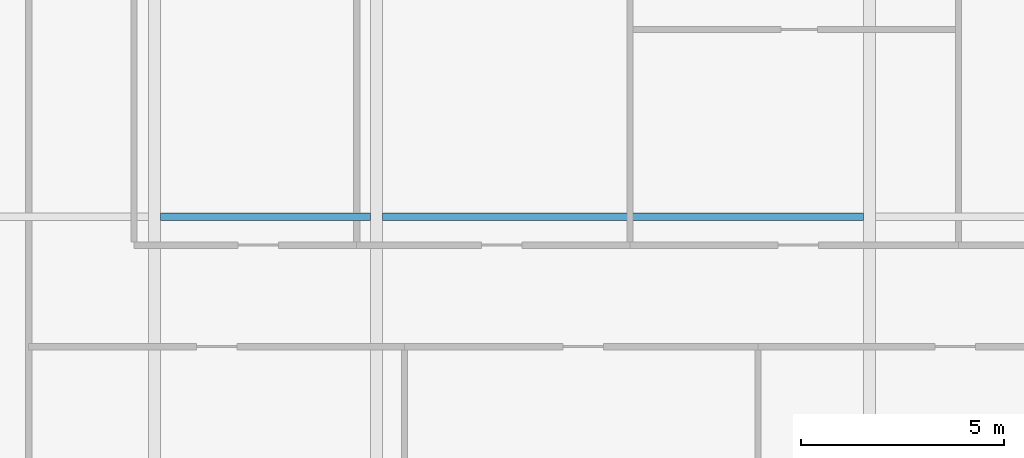
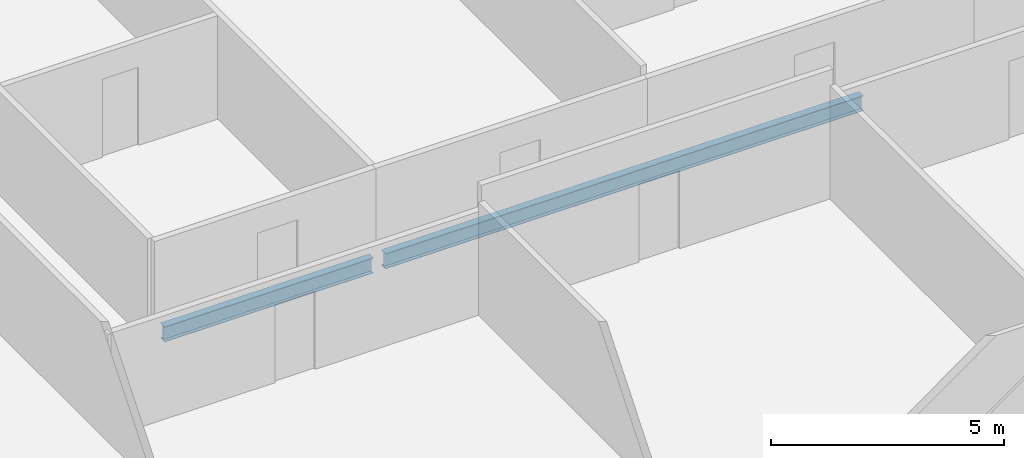
# One storey, part 8 of 29: 2 beams.
"""IFC4 building model written with IfcOpenShell, lengths in metres."""

import ifcopenshell
import ifcopenshell.guid

model = None  # the IFC model being written
_history = None  # IfcOwnerHistory: only IFC2X3 demands one
_inside = {}  # id of a spatial element -> (the spatial element, [elements in it])
_under = {}  # id of a project, library or spatial element -> (it, [spatial elements below it])
_declared = {}  # id of a project -> (the project, [libraries it declares])
_typed = {}  # id of a type object -> (the type object, [elements of that type])
_made_of = {}  # id of a material, layer set ... -> (it, [elements and type objects made of it])


def new_model(schema):
    """Start an empty IFC model of exactly this schema.

    Asked for "IFC4X3", IfcOpenShell would pick the latest addendum, in which some entities
    have other attributes; the version numbers below select the first issue.
    IFC2X3 requires an IfcOwnerHistory on every rooted entity: one is made here for all.
    """
    global model, _history
    if schema == "IFC4X3":
        model = ifcopenshell.file(schema_version=(4, 3, 0, 0))
    else:
        model = ifcopenshell.file(schema=schema)
    _inside.clear()
    _under.clear()
    _declared.clear()
    _typed.clear()
    _made_of.clear()
    _history = None
    if model.schema == "IFC2X3":
        org = make("IfcOrganization", Name="unknown")
        user = make(
            "IfcPersonAndOrganization",
            ThePerson=make("IfcPerson", FamilyName="unknown"),
            TheOrganization=org,
        )
        app = make(
            "IfcApplication",
            ApplicationDeveloper=org,
            Version="unknown",
            ApplicationFullName="unknown",
            ApplicationIdentifier="unknown",
        )
        _history = make(
            "IfcOwnerHistory",
            OwningUser=user,
            OwningApplication=app,
            ChangeAction="ADDED",
            CreationDate=0,
        )
    return model


def make(cls, **values):
    """One entity of the class cls with the attributes given. An attribute that is None is left unset."""
    return model.create_entity(
        cls, **{name: value for name, value in values.items() if value is not None}
    )


def rooted(cls, **values):
    """An entity with a GlobalId (a new one), such as an element, a storey or a relation."""
    return make(cls, GlobalId=ifcopenshell.guid.new(), OwnerHistory=_history, **values)


def si_unit(unit_type, name, prefix=None):
    """IfcSIUnit, for example si_unit("LENGTHUNIT", "METRE", prefix="MILLI")."""
    return make("IfcSIUnit", UnitType=unit_type, Prefix=prefix, Name=name)


def assignment(units):
    """IfcUnitAssignment: the units of a project."""
    return None if units is None else make("IfcUnitAssignment", Units=units)


def point(xyz):
    """IfcCartesianPoint."""
    return None if xyz is None else make("IfcCartesianPoint", Coordinates=xyz)


def direction(xyz):
    """IfcDirection."""
    return None if xyz is None else make("IfcDirection", DirectionRatios=xyz)


def frame(location, z_axis=None, x_axis=None):
    """IfcAxis2Placement3D, a coordinate frame: its origin and axes. An axis left out is left unset."""
    return make(
        "IfcAxis2Placement3D",
        Location=point(location),
        Axis=direction(z_axis),
        RefDirection=direction(x_axis),
    )


def frame_2d(location, x_axis=None):
    """IfcAxis2Placement2D, a coordinate frame in the plane: its origin and x axis."""
    return make(
        "IfcAxis2Placement2D", Location=point(location), RefDirection=direction(x_axis)
    )


def origin():
    """The frame at (0, 0, 0) with its axes left unset."""
    return frame((0.0, 0.0, 0.0))


def origin_2d():
    """The frame at (0, 0) in the plane with its x axis left unset."""
    return frame_2d((0.0, 0.0))


def place(relative_to, where):
    """IfcLocalPlacement: puts the frame where relative to a parent placement (None: the world)."""
    return make(
        "IfcLocalPlacement", PlacementRelTo=relative_to, RelativePlacement=where
    )


def context(
    kind, dimensions, precision=None, world=None, true_north=None, identifier=None
):
    """IfcGeometricRepresentationContext, for example the 3D "Model" context."""
    return make(
        "IfcGeometricRepresentationContext",
        ContextIdentifier=identifier,
        ContextType=kind,
        CoordinateSpaceDimension=dimensions,
        Precision=precision,
        WorldCoordinateSystem=world,
        TrueNorth=true_north,
    )


def subcontext(parent, identifier, kind, view, scale=None):
    """IfcGeometricRepresentationSubContext, for example "Body" below "Model"."""
    return make(
        "IfcGeometricRepresentationSubContext",
        ContextIdentifier=identifier,
        ContextType=kind,
        ParentContext=parent,
        TargetScale=scale,
        TargetView=view,
    )


def project(units=None, contexts=None):
    """IfcProject with its units and contexts."""
    return rooted(
        "IfcProject",
        Name="project",
        RepresentationContexts=contexts,
        UnitsInContext=assignment(units),
    )


def spatial(cls, under=None, at=None, **own):
    """A site, building, storey or space (cls), placed at a placement, below another one or the project."""
    s = rooted(cls, ObjectPlacement=at, **own)
    if under is not None:
        _under.setdefault(under.id(), (under, []))[1].append(s)
    return s


def profile(cls, at=None, kind="AREA", **sizes):
    """A parametric profile (cls). Its sizes go by their IFC names, for example OverallWidth=200.0."""
    return make(cls, ProfileType=kind, Position=at, **sizes)


def i_section(**sizes):
    """IfcIShapeProfileDef."""
    return profile("IfcIShapeProfileDef", **sizes)


def extrude(swept, where, along, depth):
    """IfcExtrudedAreaSolid: the profile swept, set in the frame where, extruded along a direction by depth."""
    return make(
        "IfcExtrudedAreaSolid",
        SweptArea=swept,
        Position=where,
        ExtrudedDirection=direction(along),
        Depth=depth,
    )


def shape(context_of_items, identifier, shape_type, items):
    """IfcShapeRepresentation: the items that make up one representation, for example the "Body"."""
    return make(
        "IfcShapeRepresentation",
        ContextOfItems=context_of_items,
        RepresentationIdentifier=identifier,
        RepresentationType=shape_type,
        Items=items,
    )


def material(Name=None, Category=None):
    """IfcMaterial."""
    return make("IfcMaterial", Name=Name, Category=Category)


def material_profile(
    of_material, cross_section, Name=None, Category=None, Priority=None
):
    """IfcMaterialProfile: a cross section and its material."""
    return make(
        "IfcMaterialProfile",
        Name=Name,
        Material=of_material,
        Profile=cross_section,
        Priority=Priority,
        Category=Category,
    )


def profile_set(profiles, Name=None, composite=None):
    """IfcMaterialProfileSet."""
    return make(
        "IfcMaterialProfileSet",
        Name=Name,
        MaterialProfiles=profiles,
        CompositeProfile=composite,
    )


def made_of(thing, what):
    """Note that an element or type object is made of a material, layer set ...; save() writes the relation."""
    if what is not None:
        _made_of.setdefault(what.id(), (what, []))[1].append(thing)
    return thing


def type_object(cls, material=None, **own):
    """A type object (cls), such as IfcWallType, which elements share."""
    return made_of(rooted(cls, **own), material)


def element(
    cls,
    number,
    at=None,
    inside=None,
    cuts=None,
    type_object=None,
    material=None,
    context=None,
    identifier="Body",
    shape_type=None,
    held_by="IfcProductDefinitionShape",
    body=None,
    shapes=None,
    **own,
):
    """One element of the class cls, such as IfcWall. Its Tag is "e" and its number.

    at: its placement. inside: the storey or other place that contains it. cuts: it is an
    opening in that element (IfcRelVoidsElement). A single representation is given by context,
    identifier, shape_type and body (its items); several are given by shapes. held_by: the class
    of the entity that holds the representations. save() writes the other relations.
    """
    e = rooted(cls, Tag="e%d" % number, ObjectPlacement=at, **own)
    if body is not None:
        shapes = [shape(context, identifier, shape_type, body)]
    if shapes is not None:
        e.Representation = make(held_by, Representations=shapes)
    if inside is not None:
        _inside.setdefault(inside.id(), (inside, []))[1].append(e)
    if cuts is not None:
        rooted(
            "IfcRelVoidsElement", RelatingBuildingElement=cuts, RelatedOpeningElement=e
        )
    if type_object is not None:
        _typed.setdefault(type_object.id(), (type_object, []))[1].append(e)
    return made_of(e, material)


def aggregate(whole, parts):
    """IfcRelAggregates: a whole, such as a stair, and the parts it consists of."""
    return rooted("IfcRelAggregates", RelatingObject=whole, RelatedObjects=parts)


def save(model, path):
    """Write the relations noted so far, then the file.

    IfcRelAggregates (storeys below a building ...), IfcRelContainedInSpatialStructure (elements
    in a storey), IfcRelDefinesByType, IfcRelAssociatesMaterial and IfcRelDeclares: one each for
    every whole, place, type object, material and project.
    """
    for whole, parts in _under.values():
        aggregate(whole, parts)
    for where, things in _inside.values():
        rooted(
            "IfcRelContainedInSpatialStructure",
            RelatedElements=things,
            RelatingStructure=where,
        )
    for kind, things in _typed.values():
        rooted("IfcRelDefinesByType", RelatedObjects=things, RelatingType=kind)
    for what, things in _made_of.values():
        rooted("IfcRelAssociatesMaterial", RelatedObjects=things, RelatingMaterial=what)
    for by, libraries in _declared.values():
        rooted("IfcRelDeclares", RelatingContext=by, RelatedDefinitions=libraries)
    model.write(path)


model = new_model("IFC4")

# Units and contexts
model_context = context("Model", 3, precision=1e-05, world=origin(), true_north=direction((0.0, 1.0)))
body_context = subcontext(model_context, "Body", "Model", "MODEL_VIEW")
ifc_project = project(units=[si_unit("LENGTHUNIT", "METRE"), si_unit("AREAUNIT", "SQUARE_METRE"), si_unit("VOLUMEUNIT", "CUBIC_METRE"), si_unit("PLANEANGLEUNIT", "RADIAN"), si_unit("MASSUNIT", "GRAM", prefix="KILO")], contexts=[model_context])

# Site, building, storey
site_placement = place(None, origin())
site = spatial("IfcSite", under=ifc_project, at=site_placement, CompositionType="ELEMENT")
building_placement = place(site_placement, origin())
building = spatial("IfcBuilding", under=site, at=building_placement, Name="Khoronbel Lancet Exchange", CompositionType="ELEMENT")
storey_placement = place(building_placement, frame((0.0, 0.0, 302.199951171875)))
storey = spatial("IfcBuildingStorey", under=building, at=storey_placement, Name="L78", CompositionType="ELEMENT", Elevation=302.199951171875)

# Beams
ifc_material = material(Name="Steel S355", Category="steel")
ifc_material_profile = material_profile(ifc_material, i_section(OverallWidth=0.179931640625, OverallDepth=0.39990234375, WebThickness=0.008544921875, FlangeThickness=0.013427734375, at=origin_2d()), Name="IPE 400")
ifc_profile_set = profile_set([ifc_material_profile], Name="Steel S355")
beam_type = type_object("IfcBeamType", Name="BM-BJ5", PredefinedType="JOIST", material=ifc_profile_set)
beam_1_placement = place(storey_placement, frame((25.050048828125, 23.39990234375, -0.35986328125), z_axis=(1.0, 0.0, 0.0), x_axis=(0.0, 1.0, 0.0)))
element("IfcBeam", 1, at=beam_1_placement, inside=storey, type_object=beam_type, Name="Level L78 secondary composite joist J07", PredefinedType="JOIST", context=body_context, shape_type="SweptSolid", body=[
    extrude(i_section(OverallWidth=0.179931640625, OverallDepth=0.39990234375, WebThickness=0.008544921875, FlangeThickness=0.013427734375, at=origin_2d()), origin(), (0.0, 0.0, 1.0), 5.175048828125),
])
beam_2_placement = place(storey_placement, frame((30.52490234375, 23.39990234375, -0.35986328125), z_axis=(1.0, 0.0, 0.0), x_axis=(0.0, 1.0, 0.0)))
element("IfcBeam", 2, at=beam_2_placement, inside=storey, type_object=beam_type, Name="Level L78 secondary composite joist J08", PredefinedType="JOIST", context=body_context, shape_type="SweptSolid", body=[
    extrude(i_section(OverallWidth=0.179931640625, OverallDepth=0.39990234375, WebThickness=0.008544921875, FlangeThickness=0.013427734375, at=origin_2d()), origin(), (0.0, 0.0, 1.0), 11.85009765625),
])

save(model, "model.ifc")
